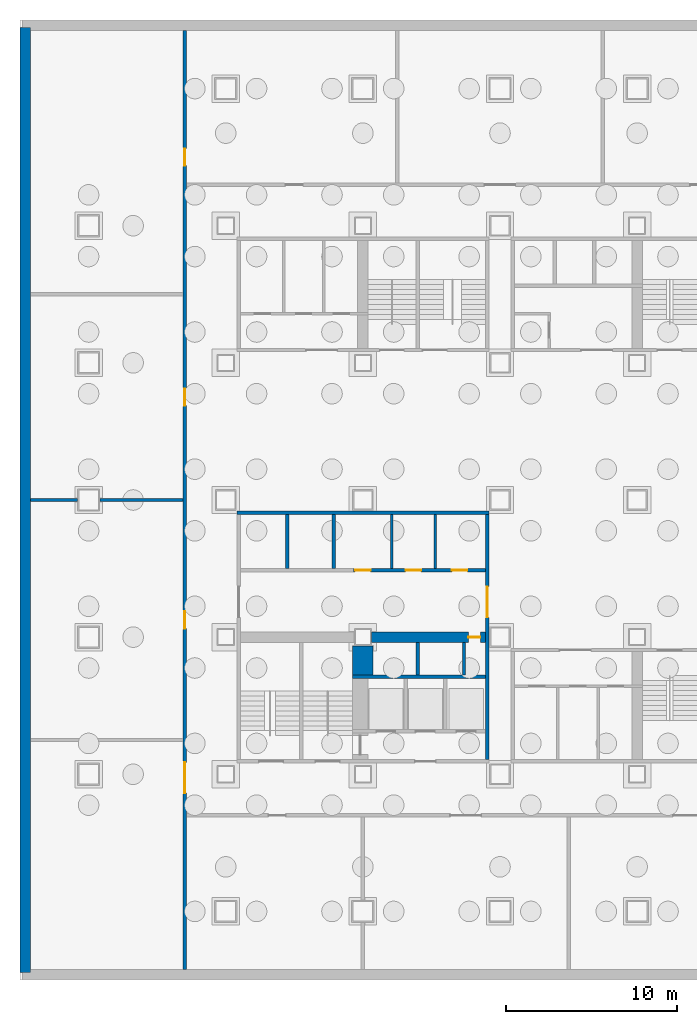
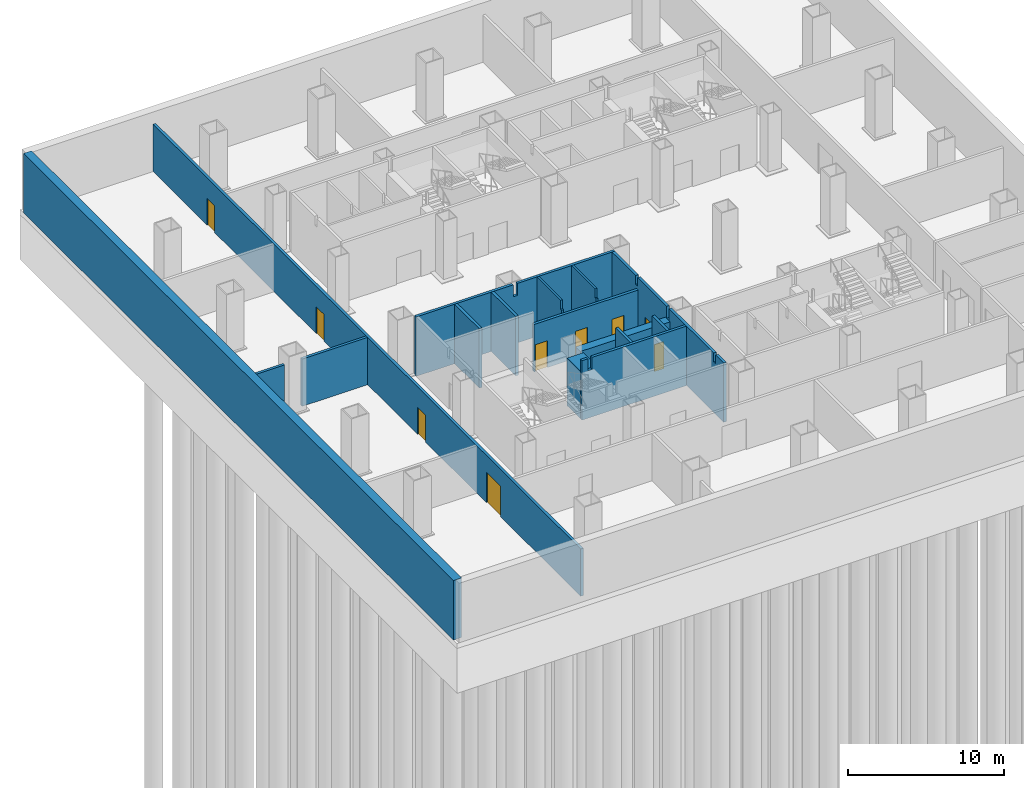
# One storey, part 3 of 9: 16 walls, 9 doors, 9 openings.
"""IFC4 building model written with IfcOpenShell, lengths in metres."""

from ifc_helpers import new_model, si_unit, direction, frame, frame_2d, origin, place, context, subcontext, project, spatial, polyline, rectangle, outline, extrude, material, layer, layer_set, type_object, element, fill, save


model = new_model("IFC4")

# Units and contexts
model_context = context("Model", 3, precision=1e-05, world=origin(), true_north=direction((0.0, 1.0)))
body_context = subcontext(model_context, "Body", "Model", "MODEL_VIEW")
ifc_project = project(units=[si_unit("LENGTHUNIT", "METRE"), si_unit("AREAUNIT", "SQUARE_METRE"), si_unit("VOLUMEUNIT", "CUBIC_METRE"), si_unit("PLANEANGLEUNIT", "RADIAN"), si_unit("MASSUNIT", "GRAM", prefix="KILO")], contexts=[model_context])

# Site, building, storey
site_placement = place(None, origin())
site = spatial("IfcSite", under=ifc_project, at=site_placement, CompositionType="ELEMENT")
building_placement = place(site_placement, origin())
building = spatial("IfcBuilding", under=site, at=building_placement, Name="Immortelle Media Tower", CompositionType="ELEMENT")
storey_placement = place(building_placement, frame((0.0, 0.0, -5.0)))
storey = spatial("IfcBuildingStorey", under=building, at=storey_placement, Name="B1", CompositionType="ELEMENT", Elevation=-5.0)

# Wall, opening, door
ifc_material_1 = material(Name="Fire-rated masonry blockwork", Category="masonry")
ifc_layer_1 = layer(ifc_material_1, 0.60009765625)
ifc_layer_set_1 = layer_set([ifc_layer_1], Name="Fire-rated masonry blockwork")
wall_type_1 = type_object("IfcWallType", Name="Core grid-line wall 600", PredefinedType="PARTITIONING", material=ifc_layer_set_1)
wall_1_placement = place(storey_placement, frame((16.510009765625, 16.0, 0.0), z_axis=(0.0, 0.0, 1.0), x_axis=(1.0, 0.0, 0.0)))
wall_1 = element("IfcWall", 1, at=wall_1_placement, inside=storey, type_object=wall_type_1, Name="Core grid-line wall SW", PredefinedType="PARTITIONING", context=body_context, shape_type="SweptSolid", body=[
    extrude(rectangle(XDim=6.639892578125, YDim=0.60009765625, at=frame_2d((3.31982421875, 0.0))), origin(), (0.0, 0.0, 1.0), 3.717041015625),
])
opening_1_placement = place(wall_1_placement, frame((6.33984375, 0.0, 0.0), z_axis=(0.0, 0.0, 1.0), x_axis=(-1.0, 0.0, 0.0)))
opening_1 = element("IfcOpeningElement", 2, at=opening_1_placement, cuts=wall_1, Name="Opening B1-K012", PredefinedType="OPENING", context=body_context, shape_type="SweptSolid", body=[
    extrude(rectangle(XDim=0.699951171875, YDim=2.10009765625, at=frame_2d((0.35009765625, 1.050048828125))), frame((0.0, 0.31005859375, 0.0), z_axis=(0.0, -1.0, 0.0), x_axis=(1.0, 0.0, 0.0)), (0.0, 0.0, 1.0), 0.6201171875),
])
ifc_material_2 = material(Name="Galvanised steel door leaf and frame ASTM A653", Category="steel")
door_type_1 = type_object("IfcDoorType", Name="Service door 700 x 2100", OperationType="NOTDEFINED", PredefinedType="NOTDEFINED", material=ifc_material_2)
door_1_placement = place(opening_1_placement, origin())
door_1 = element("IfcDoor", 3, at=door_1_placement, inside=storey, type_object=door_type_1, Name="Service B1-K012", OperationType="SINGLE_SWING_RIGHT", OverallHeight=2.10009765625, OverallWidth=0.699951171875, PredefinedType="NOTDEFINED", context=body_context, shape_type="SweptSolid", body=[
    extrude(rectangle(XDim=0.699951171875, YDim=2.10009765625, at=frame_2d((0.35009765625, 1.050048828125))), frame((0.0, 0.02490234375, 0.0), z_axis=(0.0, -1.0, 0.0), x_axis=(1.0, 0.0, 0.0)), (0.0, 0.0, 1.0), 0.050048828125),
])
fill(opening_1, door_1)

# Walls
ifc_material_3 = material(Name="Fire-rated gypsum board", Category="gypsum")
ifc_layer_2 = layer(ifc_material_3, 0.02490234375)
ifc_material_4 = material(Name="Steel ASTM A653 SS Gr 50 stud frame with mineral wool", Category="steel")
ifc_layer_3 = layer(ifc_material_4, 0.10009765625)
ifc_layer_4 = layer(ifc_material_3, 0.02490234375)
ifc_layer_set_2 = layer_set([ifc_layer_2, ifc_layer_3, ifc_layer_4], Name="Steel ASTM A653 SS Gr 50 stud frame with mineral wool")
wall_type_2 = type_object("IfcWallType", Name="Core partition 150", PredefinedType="PARTITIONING", material=ifc_layer_set_2)
for number, where, z_axis, x_axis, name in (
    (4, (17.675048828125, 20.0, 0.0), (0.0, 0.0, 1.0), (0.0, 1.0, 0.0), "Core partition SW"),
    (5, (20.22509765625, 20.0, 0.0), (0.0, 0.0, 1.0), (0.0, 1.0, 0.0), "Core partition SW"),
):
    element("IfcWall", number, at=place(storey_placement, frame(where, z_axis=z_axis, x_axis=x_axis)), inside=storey, type_object=wall_type_2, Name=name, PredefinedType="PARTITIONING", context=body_context, shape_type="SweptSolid", body=[
        extrude(outline(polyline([(0.0, 0.0), (3.14990234375, 0.0), (3.14990234375, 4.64990234375), (0.133544921875, 4.64990234375), (0.132568359375, 3.950927734375), (0.0, 3.950927734375), (0.0, 0.0)])), frame((0.0, 0.074951171875, 0.0), z_axis=(0.0, -1.0, 0.0), x_axis=(1.0, 0.0, 0.0)), (0.0, 0.0, 1.0), 0.14990234375),
    ])
ifc_layer_5 = layer(ifc_material_3, 0.03759765625)
ifc_layer_6 = layer(ifc_material_4, 0.125)
ifc_layer_7 = layer(ifc_material_3, 0.03759765625)
ifc_layer_set_3 = layer_set([ifc_layer_5, ifc_layer_6, ifc_layer_7], Name="Steel ASTM A653 SS Gr 50 stud frame with mineral wool")
wall_type_3 = type_object("IfcWallType", Name="Core shaft wall 200", PredefinedType="PARTITIONING", material=ifc_layer_set_3)
wall_2_placement = place(storey_placement, frame((8.64990234375, 23.25, 0.0), z_axis=(0.0, 0.0, 1.0), x_axis=(1.0, 0.0, 0.0)))
element("IfcWall", 6, at=wall_2_placement, inside=storey, type_object=wall_type_3, Name="Core shaft wall SW", PredefinedType="PARTITIONING", context=body_context, shape_type="SweptSolid", body=[
    extrude(outline(polyline([(0.0, 0.0), (14.7001953125, 0.0), (14.699951171875, 4.64990234375), (7.508544921875, 4.64990234375), (7.507568359375, 3.717041015625), (7.1923828125, 3.717041015625), (7.19140625, 4.64990234375), (0.0, 4.64990234375), (0.0, 0.0)])), frame((0.0, 0.10009765625, 0.0), z_axis=(0.0, -1.0, 0.0), x_axis=(1.0, 0.0, 0.0)), (0.0, 0.0, 1.0), 0.199951171875),
])

# Wall, openings, doors
wall_3_placement = place(storey_placement, frame((15.449951171875, 19.89990234375, 0.0), z_axis=(0.0, 0.0, 1.0), x_axis=(1.0, 0.0, 0.0)))
wall_3 = element("IfcWall", 7, at=wall_3_placement, inside=storey, type_object=wall_type_3, Name="Core shaft wall SW", PredefinedType="PARTITIONING", context=body_context, shape_type="SweptSolid", body=[
    extrude(rectangle(XDim=7.699951171875, YDim=0.199951171875, at=frame_2d((3.85009765625, 0.0))), origin(), (0.0, 0.0, 1.0), 3.717041015625),
])
opening_2_placement = place(wall_3_placement, frame((0.10009765625, 0.0, 0.0)))
opening_2 = element("IfcOpeningElement", 8, at=opening_2_placement, cuts=wall_3, Name="Opening B1-K005", PredefinedType="OPENING", context=body_context, shape_type="SweptSolid", body=[
    extrude(rectangle(XDim=0.89990234375, YDim=2.10009765625, at=frame_2d((0.449951171875, 1.050048828125))), frame((0.0, 0.10986328125, 0.0), z_axis=(0.0, -1.0, 0.0), x_axis=(1.0, 0.0, 0.0)), (0.0, 0.0, 1.0), 0.219970703125),
])
opening_3_placement = place(wall_3_placement, frame((3.050048828125, 0.0, 0.0)))
opening_3 = element("IfcOpeningElement", 9, at=opening_3_placement, cuts=wall_3, Name="Opening B1-K007", PredefinedType="OPENING", context=body_context, shape_type="SweptSolid", body=[
    extrude(rectangle(XDim=0.89990234375, YDim=2.10009765625, at=frame_2d((0.449951171875, 1.050048828125))), frame((0.0, 0.10986328125, 0.0), z_axis=(0.0, -1.0, 0.0), x_axis=(1.0, 0.0, 0.0)), (0.0, 0.0, 1.0), 0.219970703125),
])
opening_4_placement = place(wall_3_placement, frame((5.75, 0.0, 0.0)))
opening_4 = element("IfcOpeningElement", 10, at=opening_4_placement, cuts=wall_3, Name="Opening B1-K010", PredefinedType="OPENING", context=body_context, shape_type="SweptSolid", body=[
    extrude(rectangle(XDim=0.89990234375, YDim=2.10009765625, at=frame_2d((0.449951171875, 1.050048828125))), frame((0.0, 0.10986328125, 0.0), z_axis=(0.0, -1.0, 0.0), x_axis=(1.0, 0.0, 0.0)), (0.0, 0.0, 1.0), 0.219970703125),
])
door_type_2 = type_object("IfcDoorType", Name="Service door 900 x 2100", OperationType="NOTDEFINED", PredefinedType="NOTDEFINED", material=ifc_material_2)
door_2_placement = place(opening_2_placement, origin())
door_2 = element("IfcDoor", 11, at=door_2_placement, inside=storey, type_object=door_type_2, Name="Service B1-K005", OperationType="SINGLE_SWING_RIGHT", OverallHeight=2.10009765625, OverallWidth=0.89990234375, PredefinedType="NOTDEFINED", context=body_context, shape_type="SweptSolid", body=[
    extrude(rectangle(XDim=0.89990234375, YDim=2.10009765625, at=frame_2d((0.449951171875, 1.050048828125))), frame((0.0, 0.02490234375, 0.0), z_axis=(0.0, -1.0, 0.0), x_axis=(1.0, 0.0, 0.0)), (0.0, 0.0, 1.0), 0.050048828125),
])
fill(opening_2, door_2)
door_3_placement = place(opening_3_placement, origin())
door_3 = element("IfcDoor", 12, at=door_3_placement, inside=storey, type_object=door_type_2, Name="Service B1-K007", OperationType="SINGLE_SWING_LEFT", OverallHeight=2.10009765625, OverallWidth=0.89990234375, PredefinedType="NOTDEFINED", context=body_context, shape_type="SweptSolid", body=[
    extrude(rectangle(XDim=0.89990234375, YDim=2.10009765625, at=frame_2d((0.449951171875, 1.050048828125))), frame((0.0, 0.02490234375, 0.0), z_axis=(0.0, -1.0, 0.0), x_axis=(1.0, 0.0, 0.0)), (0.0, 0.0, 1.0), 0.050048828125),
])
fill(opening_3, door_3)
door_4_placement = place(opening_4_placement, origin())
door_4 = element("IfcDoor", 13, at=door_4_placement, inside=storey, type_object=door_type_2, Name="Service B1-K010", OperationType="SINGLE_SWING_RIGHT", OverallHeight=2.10009765625, OverallWidth=0.89990234375, PredefinedType="NOTDEFINED", context=body_context, shape_type="SweptSolid", body=[
    extrude(rectangle(XDim=0.89990234375, YDim=2.10009765625, at=frame_2d((0.449951171875, 1.050048828125))), frame((0.0, 0.02490234375, 0.0), z_axis=(0.0, -1.0, 0.0), x_axis=(1.0, 0.0, 0.0)), (0.0, 0.0, 1.0), 0.050048828125),
])
fill(opening_4, door_4)

# Walls
for number, where, z_axis, x_axis, name in (
    (14, (11.60009765625, 20.0, 0.0), (0.0, 0.0, 1.0), (0.0, 1.0, 0.0), "Core shaft wall SW"),
    (15, (14.300048828125, 20.0, 0.0), (0.0, 0.0, 1.0), (0.0, 1.0, 0.0), "Core shaft wall SW"),
):
    element("IfcWall", number, at=place(storey_placement, frame(where, z_axis=z_axis, x_axis=x_axis)), inside=storey, type_object=wall_type_3, Name=name, PredefinedType="PARTITIONING", context=body_context, shape_type="SweptSolid", body=[
        extrude(rectangle(XDim=3.14990234375, YDim=0.199951171875, at=frame_2d((1.574951171875, 0.0))), origin(), (0.0, 0.0, 1.0), 4.64990234375),
    ])
wall_4_placement = place(storey_placement, frame((15.39990234375, 13.699951171875, 0.0), z_axis=(0.0, 0.0, 1.0), x_axis=(1.0, 0.0, 0.0)))
element("IfcWall", 16, at=wall_4_placement, inside=storey, type_object=wall_type_3, Name="Core shaft wall SW", PredefinedType="PARTITIONING", context=body_context, shape_type="SweptSolid", body=[
    extrude(outline(polyline([(0.0, 0.0), (7.75, 0.0), (7.75, 4.64990234375), (0.758544921875, 4.64990234375), (0.757568359375, 3.717041015625), (0.4423828125, 3.717041015625), (0.44140625, 4.64990234375), (0.0, 4.64990234375), (0.0, 0.0)])), frame((0.0, 0.10009765625, 0.0), z_axis=(0.0, -1.0, 0.0), x_axis=(1.0, 0.0, 0.0)), (0.0, 0.0, 1.0), 0.199951171875),
])
for number, where, z_axis, x_axis, name in (
    (17, (19.199951171875, 13.800048828125, 0.0), (0.0, 0.0, 1.0), (0.0, 1.0, 0.0), "Core shaft wall SW"),
    (18, (21.89990234375, 13.800048828125, 0.0), (0.0, 0.0, 1.0), (0.0, 1.0, 0.0), "Core shaft wall SW"),
):
    element("IfcWall", number, at=place(storey_placement, frame(where, z_axis=z_axis, x_axis=x_axis)), inside=storey, type_object=wall_type_3, Name=name, PredefinedType="PARTITIONING", context=body_context, shape_type="SweptSolid", body=[
        extrude(rectangle(XDim=1.89990234375, YDim=0.199951171875, at=frame_2d((0.949951171875, 0.0))), origin(), (0.0, 0.0, 1.0), 4.64990234375),
    ])

# Wall, opening, door
wall_5_placement = place(storey_placement, frame((23.25, 8.85009765625, 0.0), z_axis=(0.0, 0.0, 1.0), x_axis=(0.0, 1.0, 0.0)))
wall_5 = element("IfcWall", 19, at=wall_5_placement, inside=storey, type_object=wall_type_3, Name="Core shaft wall SW", PredefinedType="PARTITIONING", context=body_context, shape_type="SweptSolid", body=[
    extrude(outline(polyline([(0.0, 0.0), (14.2998046875, 0.0), (14.300048828125, 4.64990234375), (11.283447265625, 4.64990234375), (11.282470703125, 3.950927734375), (11.017578125, 3.950927734375), (11.0166015625, 4.64990234375), (7.30859375, 4.64990234375), (7.3076171875, 3.717041015625), (6.992431640625, 3.717041015625), (6.991455078125, 4.64990234375), (1.283447265625, 4.64990234375), (1.282470703125, 3.950927734375), (1.017578125, 3.950927734375), (1.0166015625, 4.64990234375), (0.0, 4.64990234375), (0.0, 0.0)])), frame((0.0, 0.10009765625, 0.0), z_axis=(0.0, -1.0, 0.0), x_axis=(1.0, 0.0, 0.0)), (0.0, 0.0, 1.0), 0.199951171875),
])
opening_5_placement = place(wall_5_placement, frame((8.300048828125, 0.0, 0.0)))
opening_5 = element("IfcOpeningElement", 20, at=opening_5_placement, cuts=wall_5, Name="Opening B1-K013", PredefinedType="OPENING", context=body_context, shape_type="SweptSolid", body=[
    extrude(rectangle(XDim=1.800048828125, YDim=2.10009765625, at=frame_2d((0.89990234375, 1.050048828125))), frame((0.0, 0.10986328125, 0.0), z_axis=(0.0, -1.0, 0.0), x_axis=(1.0, 0.0, 0.0)), (0.0, 0.0, 1.0), 0.219970703125),
])
door_type_3 = type_object("IfcDoorType", Name="Lift lobby door 1800 x 2100", OperationType="DOUBLE_DOOR_SINGLE_SWING", PredefinedType="NOTDEFINED", material=ifc_material_2)
door_5_placement = place(opening_5_placement, origin())
door_5 = element("IfcDoor", 21, at=door_5_placement, inside=storey, type_object=door_type_3, Name="Lift lobby B1-K013", OperationType="DOUBLE_DOOR_SINGLE_SWING", OverallHeight=2.10009765625, OverallWidth=1.800048828125, PredefinedType="NOTDEFINED", context=body_context, shape_type="SweptSolid", body=[
    extrude(rectangle(XDim=1.800048828125, YDim=2.10009765625, at=frame_2d((0.89990234375, 1.050048828125))), frame((0.0, 0.02490234375, 0.0), z_axis=(0.0, -1.0, 0.0), x_axis=(1.0, 0.0, 0.0)), (0.0, 0.0, 1.0), 0.050048828125),
])
fill(opening_5, door_5)

# Walls
ifc_layer_8 = layer(ifc_material_3, 0.03759765625)
ifc_layer_9 = layer(ifc_material_4, 0.125)
ifc_layer_10 = layer(ifc_material_3, 0.03759765625)
ifc_layer_set_4 = layer_set([ifc_layer_8, ifc_layer_9, ifc_layer_10], Name="Steel ASTM A653 SS Gr 50 stud frame with mineral wool")
wall_type_4 = type_object("IfcWallType", Name="Fire-resisting wall 200", PredefinedType="PARTITIONING", material=ifc_layer_set_4)
wall_6_placement = place(storey_placement, frame((-3.39990234375, 24.0, 0.0), z_axis=(0.0, 0.0, 1.0), x_axis=(1.0, 0.0, 0.0)))
element("IfcWall", 22, at=wall_6_placement, inside=storey, type_object=wall_type_4, Name="Fire-resisting wall B1-5A", PredefinedType="PARTITIONING", context=body_context, shape_type="SweptSolid", body=[
    extrude(rectangle(XDim=2.744873046875, YDim=0.199951171875, at=frame_2d((1.37255859375, 0.0))), origin(), (0.0, 0.0, 1.0), 3.699951171875),
])
wall_7_placement = place(storey_placement, frame((0.655029296875, 24.0, 0.0), z_axis=(0.0, 0.0, 1.0), x_axis=(1.0, 0.0, 0.0)))
element("IfcWall", 23, at=wall_7_placement, inside=storey, type_object=wall_type_4, Name="Fire-resisting wall B1-5B", PredefinedType="PARTITIONING", context=body_context, shape_type="SweptSolid", body=[
    extrude(rectangle(XDim=4.844970703125, YDim=0.199951171875, at=frame_2d((2.42236328125, 0.0))), origin(), (0.0, 0.0, 1.0), 3.699951171875),
])

# Wall, openings, doors
wall_8_placement = place(storey_placement, frame((5.60009765625, -3.39990234375, 0.0), z_axis=(0.0, 0.0, 1.0), x_axis=(0.0, 1.0, 0.0)))
wall_8 = element("IfcWall", 24, at=wall_8_placement, inside=storey, type_object=wall_type_4, Name="Fire-resisting wall B1-7", PredefinedType="PARTITIONING", context=body_context, shape_type="SweptSolid", body=[
    extrude(rectangle(XDim=54.7998046875, YDim=0.199951171875, at=frame_2d((27.39990234375, 0.0))), origin(), (0.0, 0.0, 1.0), 3.699951171875),
])
opening_6_placement = place(wall_8_placement, frame((10.300048828125, 0.0, 0.0)))
opening_6 = element("IfcOpeningElement", 25, at=opening_6_placement, cuts=wall_8, Name="Opening B1-X01", PredefinedType="OPENING", context=body_context, shape_type="SweptSolid", body=[
    extrude(rectangle(XDim=1.800048828125, YDim=2.39990234375, at=frame_2d((0.89990234375, 1.199951171875))), frame((0.0, 0.10986328125, 0.0), z_axis=(0.0, -1.0, 0.0), x_axis=(1.0, 0.0, 0.0)), (0.0, 0.0, 1.0), 0.219970703125),
])
opening_7_placement = place(wall_8_placement, frame((20.89990234375, 0.0, 0.0), z_axis=(0.0, 0.0, 1.0), x_axis=(-1.0, 0.0, 0.0)))
opening_7 = element("IfcOpeningElement", 26, at=opening_7_placement, cuts=wall_8, Name="Opening B1-X02", PredefinedType="OPENING", context=body_context, shape_type="SweptSolid", body=[
    extrude(rectangle(XDim=1.0, YDim=2.10009765625, at=frame_2d((0.5, 1.050048828125))), frame((0.0, 0.10986328125, 0.0), z_axis=(0.0, -1.0, 0.0), x_axis=(1.0, 0.0, 0.0)), (0.0, 0.0, 1.0), 0.219970703125),
])
opening_8_placement = place(wall_8_placement, frame((33.89990234375, 0.0, 0.0), z_axis=(0.0, 0.0, 1.0), x_axis=(-1.0, 0.0, 0.0)))
opening_8 = element("IfcOpeningElement", 27, at=opening_8_placement, cuts=wall_8, Name="Opening B1-X03", PredefinedType="OPENING", context=body_context, shape_type="SweptSolid", body=[
    extrude(rectangle(XDim=1.0, YDim=2.10009765625, at=frame_2d((0.5, 1.050048828125))), frame((0.0, 0.10986328125, 0.0), z_axis=(0.0, -1.0, 0.0), x_axis=(1.0, 0.0, 0.0)), (0.0, 0.0, 1.0), 0.219970703125),
])
opening_9_placement = place(wall_8_placement, frame((46.89990234375, 0.0, 0.0)))
opening_9 = element("IfcOpeningElement", 28, at=opening_9_placement, cuts=wall_8, Name="Opening B1-X04", PredefinedType="OPENING", context=body_context, shape_type="SweptSolid", body=[
    extrude(rectangle(XDim=1.0, YDim=2.10009765625, at=frame_2d((0.5, 1.050048828125))), frame((0.0, 0.10986328125, 0.0), z_axis=(0.0, -1.0, 0.0), x_axis=(1.0, 0.0, 0.0)), (0.0, 0.0, 1.0), 0.219970703125),
])
door_type_4 = type_object("IfcDoorType", Name="Fire door 1000 x 2100", OperationType="NOTDEFINED", PredefinedType="DOOR", material=ifc_material_2)
door_6_placement = place(opening_7_placement, origin())
door_6 = element("IfcDoor", 29, at=door_6_placement, inside=storey, type_object=door_type_4, Name="Door B1-X02", OperationType="SINGLE_SWING_RIGHT", OverallHeight=2.10009765625, OverallWidth=1.0, PredefinedType="DOOR", context=body_context, shape_type="SweptSolid", body=[
    extrude(rectangle(XDim=1.0, YDim=2.10009765625, at=frame_2d((0.5, 1.050048828125))), frame((0.0, 0.02490234375, 0.0), z_axis=(0.0, -1.0, 0.0), x_axis=(1.0, 0.0, 0.0)), (0.0, 0.0, 1.0), 0.050048828125),
])
fill(opening_7, door_6)
door_7_placement = place(opening_8_placement, origin())
door_7 = element("IfcDoor", 30, at=door_7_placement, inside=storey, type_object=door_type_4, Name="Door B1-X03", OperationType="SINGLE_SWING_LEFT", OverallHeight=2.10009765625, OverallWidth=1.0, PredefinedType="DOOR", context=body_context, shape_type="SweptSolid", body=[
    extrude(rectangle(XDim=1.0, YDim=2.10009765625, at=frame_2d((0.5, 1.050048828125))), frame((0.0, 0.02490234375, 0.0), z_axis=(0.0, -1.0, 0.0), x_axis=(1.0, 0.0, 0.0)), (0.0, 0.0, 1.0), 0.050048828125),
])
fill(opening_8, door_7)
door_8_placement = place(opening_9_placement, origin())
door_8 = element("IfcDoor", 31, at=door_8_placement, inside=storey, type_object=door_type_4, Name="Door B1-X04", OperationType="SINGLE_SWING_RIGHT", OverallHeight=2.10009765625, OverallWidth=1.0, PredefinedType="DOOR", context=body_context, shape_type="SweptSolid", body=[
    extrude(rectangle(XDim=1.0, YDim=2.10009765625, at=frame_2d((0.5, 1.050048828125))), frame((0.0, 0.02490234375, 0.0), z_axis=(0.0, -1.0, 0.0), x_axis=(1.0, 0.0, 0.0)), (0.0, 0.0, 1.0), 0.050048828125),
])
fill(opening_9, door_8)
door_type_5 = type_object("IfcDoorType", Name="Fire double door 1800 x 2400", OperationType="DOUBLE_DOOR_SINGLE_SWING", PredefinedType="DOOR", material=ifc_material_2)
door_9_placement = place(opening_6_placement, origin())
door_9 = element("IfcDoor", 32, at=door_9_placement, inside=storey, type_object=door_type_5, Name="Door B1-X01", OperationType="DOUBLE_DOOR_SINGLE_SWING", OverallHeight=2.39990234375, OverallWidth=1.800048828125, PredefinedType="DOOR", context=body_context, shape_type="SweptSolid", body=[
    extrude(rectangle(XDim=1.800048828125, YDim=2.39990234375, at=frame_2d((0.89990234375, 1.199951171875))), frame((0.0, 0.02490234375, 0.0), z_axis=(0.0, -1.0, 0.0), x_axis=(1.0, 0.0, 0.0)), (0.0, 0.0, 1.0), 0.050048828125),
])
fill(opening_6, door_9)

# Walls
ifc_material_5 = material(Name="Concrete C60", Category="concrete")
ifc_layer_11 = layer(ifc_material_5, 0.60009765625)
ifc_layer_set_5 = layer_set([ifc_layer_11], Name="Concrete C60")
wall_type_5 = type_object("IfcWallType", Name="Retaining wall 600", PredefinedType="SOLIDWALL", material=ifc_layer_set_5)
wall_9_placement = place(storey_placement, frame((-3.699951171875, -3.550048828125, 0.0), z_axis=(0.0, 0.0, 1.0), x_axis=(0.0, 1.0, 0.0)))
element("IfcWall", 33, at=wall_9_placement, inside=storey, type_object=wall_type_5, Name="Retaining wall 4", PredefinedType="SOLIDWALL", context=body_context, shape_type="SweptSolid", body=[
    extrude(rectangle(XDim=55.10009765625, YDim=0.60009765625, at=frame_2d((27.550048828125, 0.0))), origin(), (0.0, 0.0, 1.0), 4.64990234375),
])
ifc_layer_12 = layer(ifc_material_5, 1.199951171875)
ifc_layer_set_6 = layer_set([ifc_layer_12], Name="Concrete C60")
wall_type_6 = type_object("IfcWallType", Name="Stair shaft wall 1200", PredefinedType="PARTITIONING", material=ifc_layer_set_6)
wall_10_placement = place(storey_placement, frame((16.0, 13.800048828125, 0.0), z_axis=(0.0, 0.0, 1.0), x_axis=(0.0, 1.0, 0.0)))
element("IfcWall", 34, at=wall_10_placement, inside=storey, type_object=wall_type_6, Name="Stair shaft wall SW", PredefinedType="PARTITIONING", context=body_context, shape_type="SweptSolid", body=[
    extrude(rectangle(XDim=1.68994140625, YDim=1.199951171875, at=frame_2d((0.844970703125, 0.0))), origin(), (0.0, 0.0, 1.0), 3.717041015625),
])

save(model, "model.ifc")
